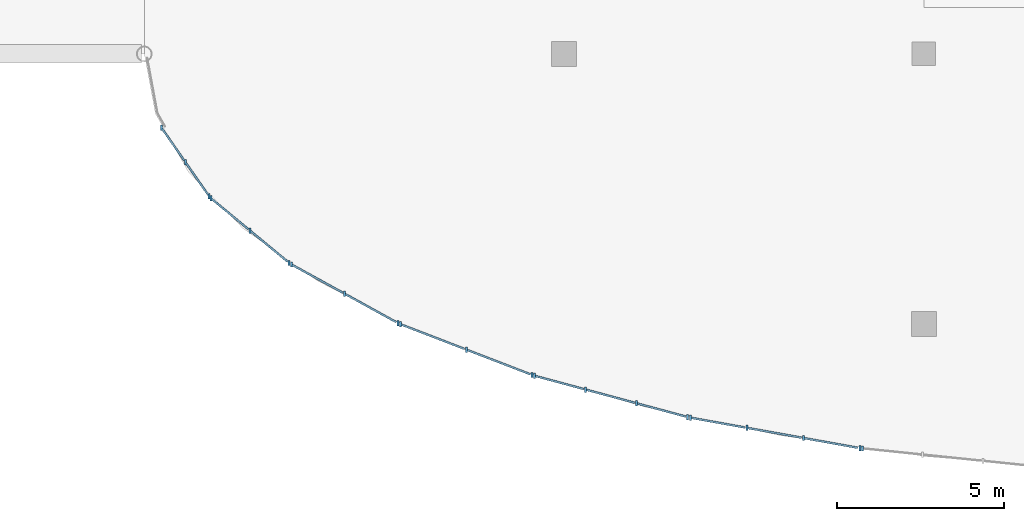
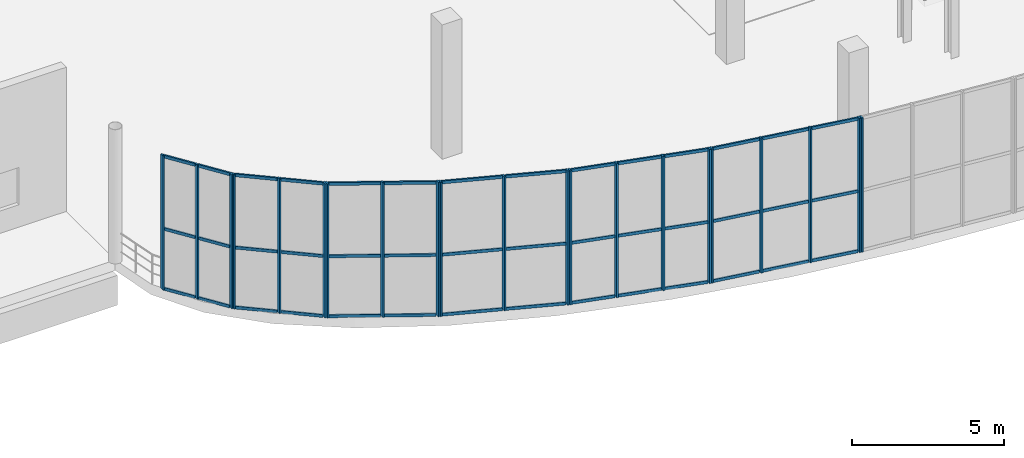
# One storey, part 21 of 85: 63 members, 7 elements without a shape of their own.
"""IFC4 building model written with IfcOpenShell, lengths in metres."""

import ifcopenshell
import ifcopenshell.guid

model = None  # the IFC model being written
_history = None  # IfcOwnerHistory: only IFC2X3 demands one
_inside = {}  # id of a spatial element -> (the spatial element, [elements in it])
_under = {}  # id of a project, library or spatial element -> (it, [spatial elements below it])
_declared = {}  # id of a project -> (the project, [libraries it declares])
_typed = {}  # id of a type object -> (the type object, [elements of that type])
_made_of = {}  # id of a material, layer set ... -> (it, [elements and type objects made of it])


def new_model(schema):
    """Start an empty IFC model of exactly this schema.

    Asked for "IFC4X3", IfcOpenShell would pick the latest addendum, in which some entities
    have other attributes; the version numbers below select the first issue.
    IFC2X3 requires an IfcOwnerHistory on every rooted entity: one is made here for all.
    """
    global model, _history
    if schema == "IFC4X3":
        model = ifcopenshell.file(schema_version=(4, 3, 0, 0))
    else:
        model = ifcopenshell.file(schema=schema)
    _inside.clear()
    _under.clear()
    _declared.clear()
    _typed.clear()
    _made_of.clear()
    _history = None
    if model.schema == "IFC2X3":
        org = make("IfcOrganization", Name="unknown")
        user = make(
            "IfcPersonAndOrganization",
            ThePerson=make("IfcPerson", FamilyName="unknown"),
            TheOrganization=org,
        )
        app = make(
            "IfcApplication",
            ApplicationDeveloper=org,
            Version="unknown",
            ApplicationFullName="unknown",
            ApplicationIdentifier="unknown",
        )
        _history = make(
            "IfcOwnerHistory",
            OwningUser=user,
            OwningApplication=app,
            ChangeAction="ADDED",
            CreationDate=0,
        )
    return model


def make(cls, **values):
    """One entity of the class cls with the attributes given. An attribute that is None is left unset."""
    return model.create_entity(
        cls, **{name: value for name, value in values.items() if value is not None}
    )


def rooted(cls, **values):
    """An entity with a GlobalId (a new one), such as an element, a storey or a relation."""
    return make(cls, GlobalId=ifcopenshell.guid.new(), OwnerHistory=_history, **values)


def si_unit(unit_type, name, prefix=None):
    """IfcSIUnit, for example si_unit("LENGTHUNIT", "METRE", prefix="MILLI")."""
    return make("IfcSIUnit", UnitType=unit_type, Prefix=prefix, Name=name)


def assignment(units):
    """IfcUnitAssignment: the units of a project."""
    return None if units is None else make("IfcUnitAssignment", Units=units)


def point(xyz):
    """IfcCartesianPoint."""
    return None if xyz is None else make("IfcCartesianPoint", Coordinates=xyz)


def direction(xyz):
    """IfcDirection."""
    return None if xyz is None else make("IfcDirection", DirectionRatios=xyz)


def frame(location, z_axis=None, x_axis=None):
    """IfcAxis2Placement3D, a coordinate frame: its origin and axes. An axis left out is left unset."""
    return make(
        "IfcAxis2Placement3D",
        Location=point(location),
        Axis=direction(z_axis),
        RefDirection=direction(x_axis),
    )


def frame_2d(location, x_axis=None):
    """IfcAxis2Placement2D, a coordinate frame in the plane: its origin and x axis."""
    return make(
        "IfcAxis2Placement2D", Location=point(location), RefDirection=direction(x_axis)
    )


def origin():
    """The frame at (0, 0, 0) with its axes left unset."""
    return frame((0.0, 0.0, 0.0))


def origin_2d():
    """The frame at (0, 0) in the plane with its x axis left unset."""
    return frame_2d((0.0, 0.0))


def place(relative_to, where):
    """IfcLocalPlacement: puts the frame where relative to a parent placement (None: the world)."""
    return make(
        "IfcLocalPlacement", PlacementRelTo=relative_to, RelativePlacement=where
    )


def context(
    kind, dimensions, precision=None, world=None, true_north=None, identifier=None
):
    """IfcGeometricRepresentationContext, for example the 3D "Model" context."""
    return make(
        "IfcGeometricRepresentationContext",
        ContextIdentifier=identifier,
        ContextType=kind,
        CoordinateSpaceDimension=dimensions,
        Precision=precision,
        WorldCoordinateSystem=world,
        TrueNorth=true_north,
    )


def subcontext(parent, identifier, kind, view, scale=None):
    """IfcGeometricRepresentationSubContext, for example "Body" below "Model"."""
    return make(
        "IfcGeometricRepresentationSubContext",
        ContextIdentifier=identifier,
        ContextType=kind,
        ParentContext=parent,
        TargetScale=scale,
        TargetView=view,
    )


def project(units=None, contexts=None):
    """IfcProject with its units and contexts."""
    return rooted(
        "IfcProject",
        Name="project",
        RepresentationContexts=contexts,
        UnitsInContext=assignment(units),
    )


def spatial(cls, under=None, at=None, **own):
    """A site, building, storey or space (cls), placed at a placement, below another one or the project."""
    s = rooted(cls, ObjectPlacement=at, **own)
    if under is not None:
        _under.setdefault(under.id(), (under, []))[1].append(s)
    return s


def profile(cls, at=None, kind="AREA", **sizes):
    """A parametric profile (cls). Its sizes go by their IFC names, for example OverallWidth=200.0."""
    return make(cls, ProfileType=kind, Position=at, **sizes)


def rectangle(**sizes):
    """IfcRectangleProfileDef."""
    return profile("IfcRectangleProfileDef", **sizes)


def extrude(swept, where, along, depth):
    """IfcExtrudedAreaSolid: the profile swept, set in the frame where, extruded along a direction by depth."""
    return make(
        "IfcExtrudedAreaSolid",
        SweptArea=swept,
        Position=where,
        ExtrudedDirection=direction(along),
        Depth=depth,
    )


def shape(context_of_items, identifier, shape_type, items):
    """IfcShapeRepresentation: the items that make up one representation, for example the "Body"."""
    return make(
        "IfcShapeRepresentation",
        ContextOfItems=context_of_items,
        RepresentationIdentifier=identifier,
        RepresentationType=shape_type,
        Items=items,
    )


def material(Name=None, Category=None):
    """IfcMaterial."""
    return make("IfcMaterial", Name=Name, Category=Category)


def material_profile(
    of_material, cross_section, Name=None, Category=None, Priority=None
):
    """IfcMaterialProfile: a cross section and its material."""
    return make(
        "IfcMaterialProfile",
        Name=Name,
        Material=of_material,
        Profile=cross_section,
        Priority=Priority,
        Category=Category,
    )


def profile_set(profiles, Name=None, composite=None):
    """IfcMaterialProfileSet."""
    return make(
        "IfcMaterialProfileSet",
        Name=Name,
        MaterialProfiles=profiles,
        CompositeProfile=composite,
    )


def made_of(thing, what):
    """Note that an element or type object is made of a material, layer set ...; save() writes the relation."""
    if what is not None:
        _made_of.setdefault(what.id(), (what, []))[1].append(thing)
    return thing


def type_object(cls, material=None, **own):
    """A type object (cls), such as IfcWallType, which elements share."""
    return made_of(rooted(cls, **own), material)


def element(
    cls,
    number,
    at=None,
    inside=None,
    cuts=None,
    type_object=None,
    material=None,
    context=None,
    identifier="Body",
    shape_type=None,
    held_by="IfcProductDefinitionShape",
    body=None,
    shapes=None,
    **own,
):
    """One element of the class cls, such as IfcWall. Its Tag is "e" and its number.

    at: its placement. inside: the storey or other place that contains it. cuts: it is an
    opening in that element (IfcRelVoidsElement). A single representation is given by context,
    identifier, shape_type and body (its items); several are given by shapes. held_by: the class
    of the entity that holds the representations. save() writes the other relations.
    """
    e = rooted(cls, Tag="e%d" % number, ObjectPlacement=at, **own)
    if body is not None:
        shapes = [shape(context, identifier, shape_type, body)]
    if shapes is not None:
        e.Representation = make(held_by, Representations=shapes)
    if inside is not None:
        _inside.setdefault(inside.id(), (inside, []))[1].append(e)
    if cuts is not None:
        rooted(
            "IfcRelVoidsElement", RelatingBuildingElement=cuts, RelatedOpeningElement=e
        )
    if type_object is not None:
        _typed.setdefault(type_object.id(), (type_object, []))[1].append(e)
    return made_of(e, material)


def aggregate(whole, parts):
    """IfcRelAggregates: a whole, such as a stair, and the parts it consists of."""
    return rooted("IfcRelAggregates", RelatingObject=whole, RelatedObjects=parts)


def save(model, path):
    """Write the relations noted so far, then the file.

    IfcRelAggregates (storeys below a building ...), IfcRelContainedInSpatialStructure (elements
    in a storey), IfcRelDefinesByType, IfcRelAssociatesMaterial and IfcRelDeclares: one each for
    every whole, place, type object, material and project.
    """
    for whole, parts in _under.values():
        aggregate(whole, parts)
    for where, things in _inside.values():
        rooted(
            "IfcRelContainedInSpatialStructure",
            RelatedElements=things,
            RelatingStructure=where,
        )
    for kind, things in _typed.values():
        rooted("IfcRelDefinesByType", RelatedObjects=things, RelatingType=kind)
    for what, things in _made_of.values():
        rooted("IfcRelAssociatesMaterial", RelatedObjects=things, RelatingMaterial=what)
    for by, libraries in _declared.values():
        rooted("IfcRelDeclares", RelatingContext=by, RelatedDefinitions=libraries)
    model.write(path)


model = new_model("IFC4")

# Units and contexts
model_context = context("Model", 3, precision=1e-05, world=origin(), true_north=direction((0.0, 1.0)))
body_context = subcontext(model_context, "Body", "Model", "MODEL_VIEW")
ifc_project = project(units=[si_unit("LENGTHUNIT", "METRE"), si_unit("AREAUNIT", "SQUARE_METRE"), si_unit("VOLUMEUNIT", "CUBIC_METRE"), si_unit("PLANEANGLEUNIT", "RADIAN"), si_unit("MASSUNIT", "GRAM", prefix="KILO"), si_unit("THERMODYNAMICTEMPERATUREUNIT", "KELVIN"), si_unit("POWERUNIT", "WATT")], contexts=[model_context])

# Site, building, storey
site_placement = place(None, origin())
site = spatial("IfcSite", under=ifc_project, at=site_placement, CompositionType="ELEMENT")
building_placement = place(site_placement, origin())
building = spatial("IfcBuilding", under=site, at=building_placement, Name="Solmara Park Aquatics Centre", CompositionType="ELEMENT")
storey_placement = place(building_placement, origin())
storey = spatial("IfcBuildingStorey", under=building, at=storey_placement, Name="L00", CompositionType="ELEMENT", Elevation=0.0)

# Curtain wall, members
ifc_material_1 = material(Name="Anodised Aluminium Curtain Wall Framing", Category="aluminium")
curtain_wall_type = type_object("IfcCurtainWallType", Name="ARC-CW-SYS02", PredefinedType="USERDEFINED", material=ifc_material_1)
curtain_wall_1_placement = place(storey_placement, origin())
curtain_wall_1 = element("IfcCurtainWall", 1, at=curtain_wall_1_placement, inside=storey, type_object=curtain_wall_type, Name="Curtain Wall CW-027", ObjectType="CURTAIN WALL", PredefinedType="USERDEFINED")
ifc_material_2 = material(Name="Anodised Aluminium Alloy 6063-T6", Category="aluminium")
ifc_material_profile_1 = material_profile(ifc_material_2, rectangle(XDim=0.06005859375, YDim=0.159912109375, at=origin_2d()), Name="ALU MULLION 60x160")
ifc_profile_set_1 = profile_set([ifc_material_profile_1], Name="Anodised Aluminium Alloy 6063-T6")
member_type_1 = type_object("IfcMemberType", Name="ARC-CWM-60x160", PredefinedType="MULLION", material=ifc_profile_set_1)
member_1_placement = place(storey_placement, frame((97.11962890625, 10.379150390625, 0.0), z_axis=(0.0, 0.0, 1.0), x_axis=(1.0, 0.0, 0.0)))
member_1 = element("IfcMember", 2, at=member_1_placement, type_object=member_type_1, Name="CW-027 mullion 1", PredefinedType="MULLION", context=body_context, shape_type="SweptSolid", body=[
    extrude(rectangle(XDim=0.06005859375, YDim=0.159912109375, at=origin_2d()), origin(), (0.0, 0.0, 1.0), 5.39990234375),
])
member_2_placement = place(storey_placement, frame((97.83447265625, 9.351318359375, 0.0), z_axis=(0.0, 0.0, 1.0), x_axis=(1.0, 0.0, 0.0)))
member_2 = element("IfcMember", 3, at=member_2_placement, type_object=member_type_1, Name="CW-027 mullion 2", PredefinedType="MULLION", context=body_context, shape_type="SweptSolid", body=[
    extrude(rectangle(XDim=0.06005859375, YDim=0.159912109375, at=origin_2d()), origin(), (0.0, 0.0, 1.0), 5.39990234375),
])
member_3_placement = place(storey_placement, frame((98.54931640625, 8.3232421875, 0.0), z_axis=(0.0, 0.0, 1.0), x_axis=(1.0, 0.0, 0.0)))
member_3 = element("IfcMember", 4, at=member_3_placement, type_object=member_type_1, Name="CW-027 mullion 3", PredefinedType="MULLION", context=body_context, shape_type="SweptSolid", body=[
    extrude(rectangle(XDim=0.06005859375, YDim=0.159912109375, at=origin_2d()), origin(), (0.0, 0.0, 1.0), 5.39990234375),
])

curtain_wall_2_placement = place(storey_placement, origin())
curtain_wall_2 = element("IfcCurtainWall", 5, at=curtain_wall_2_placement, inside=storey, type_object=curtain_wall_type, Name="Curtain Wall CW-029", ObjectType="CURTAIN WALL", PredefinedType="USERDEFINED")
member_4_placement = place(storey_placement, frame((98.602783203125, 8.264892578125, 0.0), z_axis=(0.0, 0.0, 1.0), x_axis=(1.0, 0.0, 0.0)))
member_4 = element("IfcMember", 6, at=member_4_placement, type_object=member_type_1, Name="CW-029 mullion 1", PredefinedType="MULLION", context=body_context, shape_type="SweptSolid", body=[
    extrude(rectangle(XDim=0.06005859375, YDim=0.159912109375, at=origin_2d()), origin(), (0.0, 0.0, 1.0), 5.39990234375),
])
member_5_placement = place(storey_placement, frame((99.776611328125, 7.295166015625, 0.0), z_axis=(0.0, 0.0, 1.0), x_axis=(1.0, 0.0, 0.0)))
member_5 = element("IfcMember", 7, at=member_5_placement, type_object=member_type_1, Name="CW-029 mullion 2", PredefinedType="MULLION", context=body_context, shape_type="SweptSolid", body=[
    extrude(rectangle(XDim=0.06005859375, YDim=0.159912109375, at=origin_2d()), origin(), (0.0, 0.0, 1.0), 5.39990234375),
])
member_6_placement = place(storey_placement, frame((100.9501953125, 6.325439453125, 0.0), z_axis=(0.0, 0.0, 1.0), x_axis=(1.0, 0.0, 0.0)))
member_6 = element("IfcMember", 8, at=member_6_placement, type_object=member_type_1, Name="CW-029 mullion 3", PredefinedType="MULLION", context=body_context, shape_type="SweptSolid", body=[
    extrude(rectangle(XDim=0.06005859375, YDim=0.159912109375, at=origin_2d()), origin(), (0.0, 0.0, 1.0), 5.39990234375),
])

curtain_wall_3_placement = place(storey_placement, origin())
curtain_wall_3 = element("IfcCurtainWall", 9, at=curtain_wall_3_placement, inside=storey, type_object=curtain_wall_type, Name="Curtain Wall CW-031", ObjectType="CURTAIN WALL", PredefinedType="USERDEFINED")
member_7_placement = place(storey_placement, frame((101.01611328125, 6.28076171875, 0.0), z_axis=(0.0, 0.0, 1.0), x_axis=(1.0, 0.0, 0.0)))
member_7 = element("IfcMember", 10, at=member_7_placement, type_object=member_type_1, Name="CW-031 mullion 1", PredefinedType="MULLION", context=body_context, shape_type="SweptSolid", body=[
    extrude(rectangle(XDim=0.06005859375, YDim=0.159912109375, at=origin_2d()), origin(), (0.0, 0.0, 1.0), 5.39990234375),
])
member_8_placement = place(storey_placement, frame((102.615478515625, 5.400390625, 0.0), z_axis=(0.0, 0.0, 1.0), x_axis=(1.0, 0.0, 0.0)))
member_8 = element("IfcMember", 11, at=member_8_placement, type_object=member_type_1, Name="CW-031 mullion 2", PredefinedType="MULLION", context=body_context, shape_type="SweptSolid", body=[
    extrude(rectangle(XDim=0.06005859375, YDim=0.159912109375, at=origin_2d()), origin(), (0.0, 0.0, 1.0), 5.39990234375),
])
member_9_placement = place(storey_placement, frame((104.21533203125, 4.520263671875, 0.0), z_axis=(0.0, 0.0, 1.0), x_axis=(1.0, 0.0, 0.0)))
member_9 = element("IfcMember", 12, at=member_9_placement, type_object=member_type_1, Name="CW-031 mullion 3", PredefinedType="MULLION", context=body_context, shape_type="SweptSolid", body=[
    extrude(rectangle(XDim=0.06005859375, YDim=0.159912109375, at=origin_2d()), origin(), (0.0, 0.0, 1.0), 5.39990234375),
])

curtain_wall_4_placement = place(storey_placement, origin())
curtain_wall_4 = element("IfcCurtainWall", 13, at=curtain_wall_4_placement, inside=storey, type_object=curtain_wall_type, Name="Curtain Wall CW-033", ObjectType="CURTAIN WALL", PredefinedType="USERDEFINED")
member_10_placement = place(storey_placement, frame((104.28759765625, 4.486572265625, 0.0), z_axis=(0.0, 0.0, 1.0), x_axis=(1.0, 0.0, 0.0)))
member_10 = element("IfcMember", 14, at=member_10_placement, type_object=member_type_1, Name="CW-033 mullion 1", PredefinedType="MULLION", context=body_context, shape_type="SweptSolid", body=[
    extrude(rectangle(XDim=0.06005859375, YDim=0.159912109375, at=origin_2d()), origin(), (0.0, 0.0, 1.0), 5.39990234375),
])
member_11_placement = place(storey_placement, frame((106.265380859375, 3.724365234375, 0.0), z_axis=(0.0, 0.0, 1.0), x_axis=(1.0, 0.0, 0.0)))
member_11 = element("IfcMember", 15, at=member_11_placement, type_object=member_type_1, Name="CW-033 mullion 2", PredefinedType="MULLION", context=body_context, shape_type="SweptSolid", body=[
    extrude(rectangle(XDim=0.06005859375, YDim=0.159912109375, at=origin_2d()), origin(), (0.0, 0.0, 1.0), 5.39990234375),
])
member_12_placement = place(storey_placement, frame((108.243408203125, 2.962158203125, 0.0), z_axis=(0.0, 0.0, 1.0), x_axis=(1.0, 0.0, 0.0)))
member_12 = element("IfcMember", 16, at=member_12_placement, type_object=member_type_1, Name="CW-033 mullion 3", PredefinedType="MULLION", context=body_context, shape_type="SweptSolid", body=[
    extrude(rectangle(XDim=0.06005859375, YDim=0.159912109375, at=origin_2d()), origin(), (0.0, 0.0, 1.0), 5.39990234375),
])

curtain_wall_5_placement = place(storey_placement, origin())
curtain_wall_5 = element("IfcCurtainWall", 17, at=curtain_wall_5_placement, inside=storey, type_object=curtain_wall_type, Name="Curtain Wall CW-035", ObjectType="CURTAIN WALL", PredefinedType="USERDEFINED")
member_13_placement = place(storey_placement, frame((108.3193359375, 2.9375, 0.0), z_axis=(0.0, 0.0, 1.0), x_axis=(1.0, 0.0, 0.0)))
member_13 = element("IfcMember", 18, at=member_13_placement, type_object=member_type_1, Name="CW-035 mullion 1", PredefinedType="MULLION", context=body_context, shape_type="SweptSolid", body=[
    extrude(rectangle(XDim=0.06005859375, YDim=0.159912109375, at=origin_2d()), origin(), (0.0, 0.0, 1.0), 5.39990234375),
])
member_14_placement = place(storey_placement, frame((109.85009765625, 2.5244140625, 0.0), z_axis=(0.0, 0.0, 1.0), x_axis=(1.0, 0.0, 0.0)))
member_14 = element("IfcMember", 19, at=member_14_placement, type_object=member_type_1, Name="CW-035 mullion 2", PredefinedType="MULLION", context=body_context, shape_type="SweptSolid", body=[
    extrude(rectangle(XDim=0.06005859375, YDim=0.159912109375, at=origin_2d()), origin(), (0.0, 0.0, 1.0), 5.39990234375),
])
member_15_placement = place(storey_placement, frame((111.380615234375, 2.111572265625, 0.0), z_axis=(0.0, 0.0, 1.0), x_axis=(1.0, 0.0, 0.0)))
member_15 = element("IfcMember", 20, at=member_15_placement, type_object=member_type_1, Name="CW-035 mullion 3", PredefinedType="MULLION", context=body_context, shape_type="SweptSolid", body=[
    extrude(rectangle(XDim=0.06005859375, YDim=0.159912109375, at=origin_2d()), origin(), (0.0, 0.0, 1.0), 5.39990234375),
])
member_16_placement = place(storey_placement, frame((112.911376953125, 1.698486328125, 0.0), z_axis=(0.0, 0.0, 1.0), x_axis=(1.0, 0.0, 0.0)))
member_16 = element("IfcMember", 21, at=member_16_placement, type_object=member_type_1, Name="CW-035 mullion 4", PredefinedType="MULLION", context=body_context, shape_type="SweptSolid", body=[
    extrude(rectangle(XDim=0.06005859375, YDim=0.159912109375, at=origin_2d()), origin(), (0.0, 0.0, 1.0), 5.39990234375),
])

curtain_wall_6_placement = place(storey_placement, origin())
curtain_wall_6 = element("IfcCurtainWall", 22, at=curtain_wall_6_placement, inside=storey, type_object=curtain_wall_type, Name="Curtain Wall CW-037", ObjectType="CURTAIN WALL", PredefinedType="USERDEFINED")
member_17_placement = place(storey_placement, frame((112.989501953125, 1.680908203125, 0.0), z_axis=(0.0, 0.0, 1.0), x_axis=(1.0, 0.0, 0.0)))
member_17 = element("IfcMember", 23, at=member_17_placement, type_object=member_type_1, Name="CW-037 mullion 1", PredefinedType="MULLION", context=body_context, shape_type="SweptSolid", body=[
    extrude(rectangle(XDim=0.06005859375, YDim=0.159912109375, at=origin_2d()), origin(), (0.0, 0.0, 1.0), 5.39990234375),
])
member_18_placement = place(storey_placement, frame((114.68505859375, 1.376220703125, 0.0), z_axis=(0.0, 0.0, 1.0), x_axis=(1.0, 0.0, 0.0)))
member_18 = element("IfcMember", 24, at=member_18_placement, type_object=member_type_1, Name="CW-037 mullion 2", PredefinedType="MULLION", context=body_context, shape_type="SweptSolid", body=[
    extrude(rectangle(XDim=0.06005859375, YDim=0.159912109375, at=origin_2d()), origin(), (0.0, 0.0, 1.0), 5.39990234375),
])
member_19_placement = place(storey_placement, frame((116.380859375, 1.07177734375, 0.0), z_axis=(0.0, 0.0, 1.0), x_axis=(1.0, 0.0, 0.0)))
member_19 = element("IfcMember", 25, at=member_19_placement, type_object=member_type_1, Name="CW-037 mullion 3", PredefinedType="MULLION", context=body_context, shape_type="SweptSolid", body=[
    extrude(rectangle(XDim=0.06005859375, YDim=0.159912109375, at=origin_2d()), origin(), (0.0, 0.0, 1.0), 5.39990234375),
])
member_20_placement = place(storey_placement, frame((118.076416015625, 0.76708984375, 0.0), z_axis=(0.0, 0.0, 1.0), x_axis=(1.0, 0.0, 0.0)))
member_20 = element("IfcMember", 26, at=member_20_placement, type_object=member_type_1, Name="CW-037 mullion 4", PredefinedType="MULLION", context=body_context, shape_type="SweptSolid", body=[
    extrude(rectangle(XDim=0.06005859375, YDim=0.159912109375, at=origin_2d()), origin(), (0.0, 0.0, 1.0), 5.39990234375),
])

# Curtain wall, member
curtain_wall_7_placement = place(storey_placement, origin())
curtain_wall_7 = element("IfcCurtainWall", 27, at=curtain_wall_7_placement, inside=storey, type_object=curtain_wall_type, Name="Curtain Wall CW-040", ObjectType="CURTAIN WALL", PredefinedType="USERDEFINED")
member_21_placement = place(storey_placement, frame((118.15576171875, 0.755859375, 0.0), z_axis=(0.0, 0.0, 1.0), x_axis=(1.0, 0.0, 0.0)))
member_21 = element("IfcMember", 28, at=member_21_placement, type_object=member_type_1, Name="CW-040 mullion 1", PredefinedType="MULLION", context=body_context, shape_type="SweptSolid", body=[
    extrude(rectangle(XDim=0.06005859375, YDim=0.159912109375, at=origin_2d()), origin(), (0.0, 0.0, 1.0), 5.39990234375),
])
aggregate(curtain_wall_7, [member_21])

# Member
ifc_material_profile_2 = material_profile(ifc_material_2, rectangle(XDim=0.06005859375, YDim=0.1201171875, at=origin_2d()), Name="ALU TRANSOM 60x120")
ifc_profile_set_2 = profile_set([ifc_material_profile_2], Name="Anodised Aluminium Alloy 6063-T6")
member_type_2 = type_object("IfcMemberType", Name="ARC-CWT-60x120", PredefinedType="USERDEFINED", material=ifc_profile_set_2)
member_22_placement = place(storey_placement, frame((97.131103515625, 10.36279296875, 0.0400390625), z_axis=(0.570887505732, -0.821028291717, 0.0), x_axis=(0.821028291717, 0.570887505732, 0.0)))
member_22 = element("IfcMember", 29, at=member_22_placement, type_object=member_type_2, Name="CW-027 transom 1", ObjectType="TRANSOM", PredefinedType="USERDEFINED", context=body_context, shape_type="SweptSolid", body=[
    extrude(rectangle(XDim=0.06005859375, YDim=0.1201171875, at=origin_2d()), origin(), (0.0, 0.0, 1.0), 1.172119140625),
])

member_23_placement = place(storey_placement, frame((97.131103515625, 10.36279296875, 2.449951171875), z_axis=(0.570887505732, -0.821028291717, 0.0), x_axis=(0.821028291717, 0.570887505732, 0.0)))
member_23 = element("IfcMember", 30, at=member_23_placement, type_object=member_type_2, Name="CW-027 transom 2", ObjectType="TRANSOM", PredefinedType="USERDEFINED", context=body_context, shape_type="SweptSolid", body=[
    extrude(rectangle(XDim=0.06005859375, YDim=0.1201171875, at=origin_2d()), origin(), (0.0, 0.0, 1.0), 1.172119140625),
])

member_24_placement = place(storey_placement, frame((97.131103515625, 10.36279296875, 5.360107421875), z_axis=(0.570887505732, -0.821028291717, 0.0), x_axis=(0.821028291717, 0.570887505732, 0.0)))
member_24 = element("IfcMember", 31, at=member_24_placement, type_object=member_type_2, Name="CW-027 transom 3", ObjectType="TRANSOM", PredefinedType="USERDEFINED", context=body_context, shape_type="SweptSolid", body=[
    extrude(rectangle(XDim=0.06005859375, YDim=0.1201171875, at=origin_2d()), origin(), (0.0, 0.0, 1.0), 1.172119140625),
])

member_25_placement = place(storey_placement, frame((97.845947265625, 9.334716796875, 0.0400390625), z_axis=(0.570844718132, -0.821058041664, 0.0), x_axis=(0.821058041664, 0.570844718132, 0.0)))
member_25 = element("IfcMember", 32, at=member_25_placement, type_object=member_type_2, Name="CW-027 transom 4", ObjectType="TRANSOM", PredefinedType="USERDEFINED", context=body_context, shape_type="SweptSolid", body=[
    extrude(rectangle(XDim=0.06005859375, YDim=0.1201171875, at=origin_2d()), origin(), (0.0, 0.0, 1.0), 1.171875),
])

member_26_placement = place(storey_placement, frame((97.845947265625, 9.334716796875, 2.449951171875), z_axis=(0.570844718132, -0.821058041664, 0.0), x_axis=(0.821058041664, 0.570844718132, 0.0)))
member_26 = element("IfcMember", 33, at=member_26_placement, type_object=member_type_2, Name="CW-027 transom 5", ObjectType="TRANSOM", PredefinedType="USERDEFINED", context=body_context, shape_type="SweptSolid", body=[
    extrude(rectangle(XDim=0.06005859375, YDim=0.1201171875, at=origin_2d()), origin(), (0.0, 0.0, 1.0), 1.171875),
])

member_27_placement = place(storey_placement, frame((97.845947265625, 9.334716796875, 5.360107421875), z_axis=(0.570844718132, -0.821058041664, 0.0), x_axis=(0.821058041664, 0.570844718132, 0.0)))
member_27 = element("IfcMember", 34, at=member_27_placement, type_object=member_type_2, Name="CW-027 transom 6", ObjectType="TRANSOM", PredefinedType="USERDEFINED", context=body_context, shape_type="SweptSolid", body=[
    extrude(rectangle(XDim=0.06005859375, YDim=0.1201171875, at=origin_2d()), origin(), (0.0, 0.0, 1.0), 1.171875),
])

aggregate(curtain_wall_1, [member_1, member_2, member_3, member_22, member_23, member_24, member_25, member_26, member_27])

member_28_placement = place(storey_placement, frame((98.618408203125, 8.252197265625, 0.0400390625), z_axis=(0.770878629105, -0.636982055626, 0.0), x_axis=(0.636982055626, 0.770878629105, 0.0)))
member_28 = element("IfcMember", 35, at=member_28_placement, type_object=member_type_2, Name="CW-029 transom 1", ObjectType="TRANSOM", PredefinedType="USERDEFINED", context=body_context, shape_type="SweptSolid", body=[
    extrude(rectangle(XDim=0.06005859375, YDim=0.1201171875, at=origin_2d()), origin(), (0.0, 0.0, 1.0), 1.4423828125),
])

member_29_placement = place(storey_placement, frame((98.618408203125, 8.252197265625, 2.449951171875), z_axis=(0.770878629105, -0.636982055626, 0.0), x_axis=(0.636982055626, 0.770878629105, 0.0)))
member_29 = element("IfcMember", 36, at=member_29_placement, type_object=member_type_2, Name="CW-029 transom 2", ObjectType="TRANSOM", PredefinedType="USERDEFINED", context=body_context, shape_type="SweptSolid", body=[
    extrude(rectangle(XDim=0.06005859375, YDim=0.1201171875, at=origin_2d()), origin(), (0.0, 0.0, 1.0), 1.4423828125),
])

member_30_placement = place(storey_placement, frame((98.618408203125, 8.252197265625, 5.360107421875), z_axis=(0.770878629105, -0.636982055626, 0.0), x_axis=(0.636982055626, 0.770878629105, 0.0)))
member_30 = element("IfcMember", 37, at=member_30_placement, type_object=member_type_2, Name="CW-029 transom 3", ObjectType="TRANSOM", PredefinedType="USERDEFINED", context=body_context, shape_type="SweptSolid", body=[
    extrude(rectangle(XDim=0.06005859375, YDim=0.1201171875, at=origin_2d()), origin(), (0.0, 0.0, 1.0), 1.4423828125),
])

member_31_placement = place(storey_placement, frame((99.7919921875, 7.282470703125, 0.0400390625), z_axis=(0.770878629105, -0.636982055626, 0.0), x_axis=(0.636982055626, 0.770878629105, 0.0)))
member_31 = element("IfcMember", 38, at=member_31_placement, type_object=member_type_2, Name="CW-029 transom 4", ObjectType="TRANSOM", PredefinedType="USERDEFINED", context=body_context, shape_type="SweptSolid", body=[
    extrude(rectangle(XDim=0.06005859375, YDim=0.1201171875, at=origin_2d()), origin(), (0.0, 0.0, 1.0), 1.4423828125),
])

member_32_placement = place(storey_placement, frame((99.7919921875, 7.282470703125, 2.449951171875), z_axis=(0.770878629105, -0.636982055626, 0.0), x_axis=(0.636982055626, 0.770878629105, 0.0)))
member_32 = element("IfcMember", 39, at=member_32_placement, type_object=member_type_2, Name="CW-029 transom 5", ObjectType="TRANSOM", PredefinedType="USERDEFINED", context=body_context, shape_type="SweptSolid", body=[
    extrude(rectangle(XDim=0.06005859375, YDim=0.1201171875, at=origin_2d()), origin(), (0.0, 0.0, 1.0), 1.4423828125),
])

member_33_placement = place(storey_placement, frame((99.7919921875, 7.282470703125, 5.360107421875), z_axis=(0.770878629105, -0.636982055626, 0.0), x_axis=(0.636982055626, 0.770878629105, 0.0)))
member_33 = element("IfcMember", 40, at=member_33_placement, type_object=member_type_2, Name="CW-029 transom 6", ObjectType="TRANSOM", PredefinedType="USERDEFINED", context=body_context, shape_type="SweptSolid", body=[
    extrude(rectangle(XDim=0.06005859375, YDim=0.1201171875, at=origin_2d()), origin(), (0.0, 0.0, 1.0), 1.4423828125),
])

aggregate(curtain_wall_2, [member_4, member_5, member_6, member_28, member_29, member_30, member_31, member_32, member_33])

member_34_placement = place(storey_placement, frame((101.03369140625, 6.27099609375, 0.0400390625), z_axis=(0.8761095798, -0.482112024516, 0.0), x_axis=(0.482112024516, 0.8761095798, 0.0)))
member_34 = element("IfcMember", 41, at=member_34_placement, type_object=member_type_2, Name="CW-031 transom 1", ObjectType="TRANSOM", PredefinedType="USERDEFINED", context=body_context, shape_type="SweptSolid", body=[
    extrude(rectangle(XDim=0.06005859375, YDim=0.1201171875, at=origin_2d()), origin(), (0.0, 0.0, 1.0), 1.74560546875),
])

member_35_placement = place(storey_placement, frame((101.03369140625, 6.27099609375, 2.449951171875), z_axis=(0.8761095798, -0.482112024516, 0.0), x_axis=(0.482112024516, 0.8761095798, 0.0)))
member_35 = element("IfcMember", 42, at=member_35_placement, type_object=member_type_2, Name="CW-031 transom 2", ObjectType="TRANSOM", PredefinedType="USERDEFINED", context=body_context, shape_type="SweptSolid", body=[
    extrude(rectangle(XDim=0.06005859375, YDim=0.1201171875, at=origin_2d()), origin(), (0.0, 0.0, 1.0), 1.74560546875),
])

member_36_placement = place(storey_placement, frame((101.03369140625, 6.27099609375, 5.360107421875), z_axis=(0.8761095798, -0.482112024516, 0.0), x_axis=(0.482112024516, 0.8761095798, 0.0)))
member_36 = element("IfcMember", 43, at=member_36_placement, type_object=member_type_2, Name="CW-031 transom 3", ObjectType="TRANSOM", PredefinedType="USERDEFINED", context=body_context, shape_type="SweptSolid", body=[
    extrude(rectangle(XDim=0.06005859375, YDim=0.1201171875, at=origin_2d()), origin(), (0.0, 0.0, 1.0), 1.74560546875),
])

member_37_placement = place(storey_placement, frame((102.63330078125, 5.390869140625, 0.0400390625), z_axis=(0.876050500936, -0.48221936897, 0.0), x_axis=(0.48221936897, 0.876050500936, 0.0)))
member_37 = element("IfcMember", 44, at=member_37_placement, type_object=member_type_2, Name="CW-031 transom 4", ObjectType="TRANSOM", PredefinedType="USERDEFINED", context=body_context, shape_type="SweptSolid", body=[
    extrude(rectangle(XDim=0.06005859375, YDim=0.1201171875, at=origin_2d()), origin(), (0.0, 0.0, 1.0), 1.74560546875),
])

member_38_placement = place(storey_placement, frame((102.63330078125, 5.390869140625, 2.449951171875), z_axis=(0.876050500936, -0.48221936897, 0.0), x_axis=(0.48221936897, 0.876050500936, 0.0)))
member_38 = element("IfcMember", 45, at=member_38_placement, type_object=member_type_2, Name="CW-031 transom 5", ObjectType="TRANSOM", PredefinedType="USERDEFINED", context=body_context, shape_type="SweptSolid", body=[
    extrude(rectangle(XDim=0.06005859375, YDim=0.1201171875, at=origin_2d()), origin(), (0.0, 0.0, 1.0), 1.74560546875),
])

member_39_placement = place(storey_placement, frame((102.63330078125, 5.390869140625, 5.360107421875), z_axis=(0.876050500936, -0.48221936897, 0.0), x_axis=(0.48221936897, 0.876050500936, 0.0)))
member_39 = element("IfcMember", 46, at=member_39_placement, type_object=member_type_2, Name="CW-031 transom 6", ObjectType="TRANSOM", PredefinedType="USERDEFINED", context=body_context, shape_type="SweptSolid", body=[
    extrude(rectangle(XDim=0.06005859375, YDim=0.1201171875, at=origin_2d()), origin(), (0.0, 0.0, 1.0), 1.74560546875),
])

aggregate(curtain_wall_3, [member_7, member_8, member_9, member_34, member_35, member_36, member_37, member_38, member_39])

member_40_placement = place(storey_placement, frame((104.306396484375, 4.479248046875, 0.0400390625), z_axis=(0.933123317616, -0.359556496424, 0.0), x_axis=(0.359556496424, 0.933123317616, 0.0)))
member_40 = element("IfcMember", 47, at=member_40_placement, type_object=member_type_2, Name="CW-033 transom 1", ObjectType="TRANSOM", PredefinedType="USERDEFINED", context=body_context, shape_type="SweptSolid", body=[
    extrude(rectangle(XDim=0.06005859375, YDim=0.1201171875, at=origin_2d()), origin(), (0.0, 0.0, 1.0), 2.039794921875),
])

member_41_placement = place(storey_placement, frame((104.306396484375, 4.479248046875, 2.449951171875), z_axis=(0.933123317616, -0.359556496424, 0.0), x_axis=(0.359556496424, 0.933123317616, 0.0)))
member_41 = element("IfcMember", 48, at=member_41_placement, type_object=member_type_2, Name="CW-033 transom 2", ObjectType="TRANSOM", PredefinedType="USERDEFINED", context=body_context, shape_type="SweptSolid", body=[
    extrude(rectangle(XDim=0.06005859375, YDim=0.1201171875, at=origin_2d()), origin(), (0.0, 0.0, 1.0), 2.039794921875),
])

member_42_placement = place(storey_placement, frame((104.306396484375, 4.479248046875, 5.360107421875), z_axis=(0.933123317616, -0.359556496424, 0.0), x_axis=(0.359556496424, 0.933123317616, 0.0)))
member_42 = element("IfcMember", 49, at=member_42_placement, type_object=member_type_2, Name="CW-033 transom 3", ObjectType="TRANSOM", PredefinedType="USERDEFINED", context=body_context, shape_type="SweptSolid", body=[
    extrude(rectangle(XDim=0.06005859375, YDim=0.1201171875, at=origin_2d()), origin(), (0.0, 0.0, 1.0), 2.039794921875),
])

member_43_placement = place(storey_placement, frame((106.2841796875, 3.71728515625, 0.0400390625), z_axis=(0.933123317616, -0.359556496424, 0.0), x_axis=(0.359556496424, 0.933123317616, 0.0)))
member_43 = element("IfcMember", 50, at=member_43_placement, type_object=member_type_2, Name="CW-033 transom 4", ObjectType="TRANSOM", PredefinedType="USERDEFINED", context=body_context, shape_type="SweptSolid", body=[
    extrude(rectangle(XDim=0.06005859375, YDim=0.1201171875, at=origin_2d()), origin(), (0.0, 0.0, 1.0), 2.039794921875),
])

member_44_placement = place(storey_placement, frame((106.2841796875, 3.71728515625, 2.449951171875), z_axis=(0.933123317616, -0.359556496424, 0.0), x_axis=(0.359556496424, 0.933123317616, 0.0)))
member_44 = element("IfcMember", 51, at=member_44_placement, type_object=member_type_2, Name="CW-033 transom 5", ObjectType="TRANSOM", PredefinedType="USERDEFINED", context=body_context, shape_type="SweptSolid", body=[
    extrude(rectangle(XDim=0.06005859375, YDim=0.1201171875, at=origin_2d()), origin(), (0.0, 0.0, 1.0), 2.039794921875),
])

member_45_placement = place(storey_placement, frame((106.2841796875, 3.71728515625, 5.360107421875), z_axis=(0.933123317616, -0.359556496424, 0.0), x_axis=(0.359556496424, 0.933123317616, 0.0)))
member_45 = element("IfcMember", 52, at=member_45_placement, type_object=member_type_2, Name="CW-033 transom 6", ObjectType="TRANSOM", PredefinedType="USERDEFINED", context=body_context, shape_type="SweptSolid", body=[
    extrude(rectangle(XDim=0.06005859375, YDim=0.1201171875, at=origin_2d()), origin(), (0.0, 0.0, 1.0), 2.039794921875),
])

aggregate(curtain_wall_4, [member_10, member_11, member_12, member_40, member_41, member_42, member_43, member_44, member_45])

member_46_placement = place(storey_placement, frame((108.338623046875, 2.93212890625, 0.0400390625), z_axis=(0.965482529069, -0.26046782155, 0.0), x_axis=(0.26046782155, 0.965482529069, 0.0)))
member_46 = element("IfcMember", 53, at=member_46_placement, type_object=member_type_2, Name="CW-035 transom 1", ObjectType="TRANSOM", PredefinedType="USERDEFINED", context=body_context, shape_type="SweptSolid", body=[
    extrude(rectangle(XDim=0.06005859375, YDim=0.1201171875, at=origin_2d()), origin(), (0.0, 0.0, 1.0), 1.50537109375),
])

member_47_placement = place(storey_placement, frame((108.338623046875, 2.93212890625, 2.449951171875), z_axis=(0.965482529069, -0.26046782155, 0.0), x_axis=(0.26046782155, 0.965482529069, 0.0)))
member_47 = element("IfcMember", 54, at=member_47_placement, type_object=member_type_2, Name="CW-035 transom 2", ObjectType="TRANSOM", PredefinedType="USERDEFINED", context=body_context, shape_type="SweptSolid", body=[
    extrude(rectangle(XDim=0.06005859375, YDim=0.1201171875, at=origin_2d()), origin(), (0.0, 0.0, 1.0), 1.50537109375),
])

member_48_placement = place(storey_placement, frame((108.338623046875, 2.93212890625, 5.360107421875), z_axis=(0.965482529069, -0.26046782155, 0.0), x_axis=(0.26046782155, 0.965482529069, 0.0)))
member_48 = element("IfcMember", 55, at=member_48_placement, type_object=member_type_2, Name="CW-035 transom 3", ObjectType="TRANSOM", PredefinedType="USERDEFINED", context=body_context, shape_type="SweptSolid", body=[
    extrude(rectangle(XDim=0.06005859375, YDim=0.1201171875, at=origin_2d()), origin(), (0.0, 0.0, 1.0), 1.50537109375),
])

member_49_placement = place(storey_placement, frame((109.869384765625, 2.519287109375, 0.0400390625), z_axis=(0.965482529069, -0.26046782155, 0.0), x_axis=(0.26046782155, 0.965482529069, 0.0)))
member_49 = element("IfcMember", 56, at=member_49_placement, type_object=member_type_2, Name="CW-035 transom 4", ObjectType="TRANSOM", PredefinedType="USERDEFINED", context=body_context, shape_type="SweptSolid", body=[
    extrude(rectangle(XDim=0.06005859375, YDim=0.1201171875, at=origin_2d()), origin(), (0.0, 0.0, 1.0), 1.50537109375),
])

member_50_placement = place(storey_placement, frame((109.869384765625, 2.519287109375, 2.449951171875), z_axis=(0.965482529069, -0.26046782155, 0.0), x_axis=(0.26046782155, 0.965482529069, 0.0)))
member_50 = element("IfcMember", 57, at=member_50_placement, type_object=member_type_2, Name="CW-035 transom 5", ObjectType="TRANSOM", PredefinedType="USERDEFINED", context=body_context, shape_type="SweptSolid", body=[
    extrude(rectangle(XDim=0.06005859375, YDim=0.1201171875, at=origin_2d()), origin(), (0.0, 0.0, 1.0), 1.50537109375),
])

member_51_placement = place(storey_placement, frame((109.869384765625, 2.519287109375, 5.360107421875), z_axis=(0.965482529069, -0.26046782155, 0.0), x_axis=(0.26046782155, 0.965482529069, 0.0)))
member_51 = element("IfcMember", 58, at=member_51_placement, type_object=member_type_2, Name="CW-035 transom 6", ObjectType="TRANSOM", PredefinedType="USERDEFINED", context=body_context, shape_type="SweptSolid", body=[
    extrude(rectangle(XDim=0.06005859375, YDim=0.1201171875, at=origin_2d()), origin(), (0.0, 0.0, 1.0), 1.50537109375),
])

member_52_placement = place(storey_placement, frame((111.39990234375, 2.106201171875, 0.0400390625), z_axis=(0.965493529626, -0.260427042086, 0.0), x_axis=(0.260427042086, 0.965493529626, 0.0)))
member_52 = element("IfcMember", 59, at=member_52_placement, type_object=member_type_2, Name="CW-035 transom 7", ObjectType="TRANSOM", PredefinedType="USERDEFINED", context=body_context, shape_type="SweptSolid", body=[
    extrude(rectangle(XDim=0.06005859375, YDim=0.1201171875, at=origin_2d()), origin(), (0.0, 0.0, 1.0), 1.505615234375),
])

member_53_placement = place(storey_placement, frame((111.39990234375, 2.106201171875, 2.449951171875), z_axis=(0.965493529626, -0.260427042086, 0.0), x_axis=(0.260427042086, 0.965493529626, 0.0)))
member_53 = element("IfcMember", 60, at=member_53_placement, type_object=member_type_2, Name="CW-035 transom 8", ObjectType="TRANSOM", PredefinedType="USERDEFINED", context=body_context, shape_type="SweptSolid", body=[
    extrude(rectangle(XDim=0.06005859375, YDim=0.1201171875, at=origin_2d()), origin(), (0.0, 0.0, 1.0), 1.505615234375),
])

member_54_placement = place(storey_placement, frame((111.39990234375, 2.106201171875, 5.360107421875), z_axis=(0.965493529626, -0.260427042086, 0.0), x_axis=(0.260427042086, 0.965493529626, 0.0)))
member_54 = element("IfcMember", 61, at=member_54_placement, type_object=member_type_2, Name="CW-035 transom 9", ObjectType="TRANSOM", PredefinedType="USERDEFINED", context=body_context, shape_type="SweptSolid", body=[
    extrude(rectangle(XDim=0.06005859375, YDim=0.1201171875, at=origin_2d()), origin(), (0.0, 0.0, 1.0), 1.505615234375),
])

aggregate(curtain_wall_5, [member_13, member_14, member_15, member_16, member_46, member_47, member_48, member_49, member_50, member_51, member_52, member_53, member_54])

member_55_placement = place(storey_placement, frame((113.009033203125, 1.677490234375, 0.0400390625), z_axis=(0.984238723522, -0.176844946549, 0.0), x_axis=(0.176844946549, 0.984238723522, 0.0)))
member_55 = element("IfcMember", 62, at=member_55_placement, type_object=member_type_2, Name="CW-037 transom 1", ObjectType="TRANSOM", PredefinedType="USERDEFINED", context=body_context, shape_type="SweptSolid", body=[
    extrude(rectangle(XDim=0.06005859375, YDim=0.1201171875, at=origin_2d()), origin(), (0.0, 0.0, 1.0), 1.642822265625),
])

member_56_placement = place(storey_placement, frame((113.009033203125, 1.677490234375, 2.449951171875), z_axis=(0.984238723522, -0.176844946549, 0.0), x_axis=(0.176844946549, 0.984238723522, 0.0)))
member_56 = element("IfcMember", 63, at=member_56_placement, type_object=member_type_2, Name="CW-037 transom 2", ObjectType="TRANSOM", PredefinedType="USERDEFINED", context=body_context, shape_type="SweptSolid", body=[
    extrude(rectangle(XDim=0.06005859375, YDim=0.1201171875, at=origin_2d()), origin(), (0.0, 0.0, 1.0), 1.642822265625),
])

member_57_placement = place(storey_placement, frame((113.009033203125, 1.677490234375, 5.360107421875), z_axis=(0.984238723522, -0.176844946549, 0.0), x_axis=(0.176844946549, 0.984238723522, 0.0)))
member_57 = element("IfcMember", 64, at=member_57_placement, type_object=member_type_2, Name="CW-037 transom 3", ObjectType="TRANSOM", PredefinedType="USERDEFINED", context=body_context, shape_type="SweptSolid", body=[
    extrude(rectangle(XDim=0.06005859375, YDim=0.1201171875, at=origin_2d()), origin(), (0.0, 0.0, 1.0), 1.642822265625),
])

member_58_placement = place(storey_placement, frame((114.704833984375, 1.372802734375, 0.0400390625), z_axis=(0.984238723522, -0.176844946549, 0.0), x_axis=(0.176844946549, 0.984238723522, 0.0)))
member_58 = element("IfcMember", 65, at=member_58_placement, type_object=member_type_2, Name="CW-037 transom 4", ObjectType="TRANSOM", PredefinedType="USERDEFINED", context=body_context, shape_type="SweptSolid", body=[
    extrude(rectangle(XDim=0.06005859375, YDim=0.1201171875, at=origin_2d()), origin(), (0.0, 0.0, 1.0), 1.642822265625),
])

member_59_placement = place(storey_placement, frame((114.704833984375, 1.372802734375, 2.449951171875), z_axis=(0.984238723522, -0.176844946549, 0.0), x_axis=(0.176844946549, 0.984238723522, 0.0)))
member_59 = element("IfcMember", 66, at=member_59_placement, type_object=member_type_2, Name="CW-037 transom 5", ObjectType="TRANSOM", PredefinedType="USERDEFINED", context=body_context, shape_type="SweptSolid", body=[
    extrude(rectangle(XDim=0.06005859375, YDim=0.1201171875, at=origin_2d()), origin(), (0.0, 0.0, 1.0), 1.642822265625),
])

member_60_placement = place(storey_placement, frame((114.704833984375, 1.372802734375, 5.360107421875), z_axis=(0.984238723522, -0.176844946549, 0.0), x_axis=(0.176844946549, 0.984238723522, 0.0)))
member_60 = element("IfcMember", 67, at=member_60_placement, type_object=member_type_2, Name="CW-037 transom 6", ObjectType="TRANSOM", PredefinedType="USERDEFINED", context=body_context, shape_type="SweptSolid", body=[
    extrude(rectangle(XDim=0.06005859375, YDim=0.1201171875, at=origin_2d()), origin(), (0.0, 0.0, 1.0), 1.642822265625),
])

member_61_placement = place(storey_placement, frame((116.400390625, 1.068115234375, 0.0400390625), z_axis=(0.984243370127, -0.176819083703, 0.0), x_axis=(0.176819083703, 0.984243370127, 0.0)))
member_61 = element("IfcMember", 68, at=member_61_placement, type_object=member_type_2, Name="CW-037 transom 7", ObjectType="TRANSOM", PredefinedType="USERDEFINED", context=body_context, shape_type="SweptSolid", body=[
    extrude(rectangle(XDim=0.06005859375, YDim=0.1201171875, at=origin_2d()), origin(), (0.0, 0.0, 1.0), 1.64306640625),
])

member_62_placement = place(storey_placement, frame((116.400390625, 1.068115234375, 2.449951171875), z_axis=(0.984243370127, -0.176819083703, 0.0), x_axis=(0.176819083703, 0.984243370127, 0.0)))
member_62 = element("IfcMember", 69, at=member_62_placement, type_object=member_type_2, Name="CW-037 transom 8", ObjectType="TRANSOM", PredefinedType="USERDEFINED", context=body_context, shape_type="SweptSolid", body=[
    extrude(rectangle(XDim=0.06005859375, YDim=0.1201171875, at=origin_2d()), origin(), (0.0, 0.0, 1.0), 1.64306640625),
])

member_63_placement = place(storey_placement, frame((116.400390625, 1.068115234375, 5.360107421875), z_axis=(0.984243370127, -0.176819083703, 0.0), x_axis=(0.176819083703, 0.984243370127, 0.0)))
member_63 = element("IfcMember", 70, at=member_63_placement, type_object=member_type_2, Name="CW-037 transom 9", ObjectType="TRANSOM", PredefinedType="USERDEFINED", context=body_context, shape_type="SweptSolid", body=[
    extrude(rectangle(XDim=0.06005859375, YDim=0.1201171875, at=origin_2d()), origin(), (0.0, 0.0, 1.0), 1.64306640625),
])

aggregate(curtain_wall_6, [member_17, member_18, member_19, member_20, member_55, member_56, member_57, member_58, member_59, member_60, member_61, member_62, member_63])

save(model, "model.ifc")
